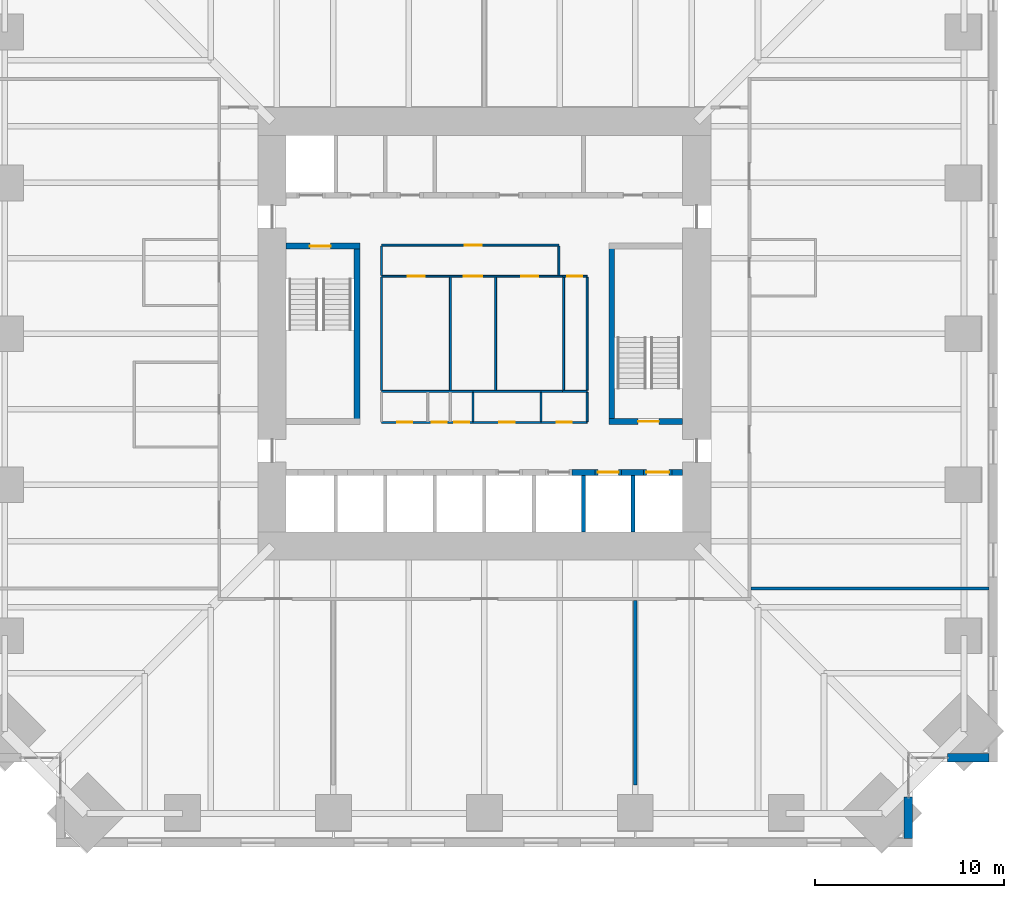
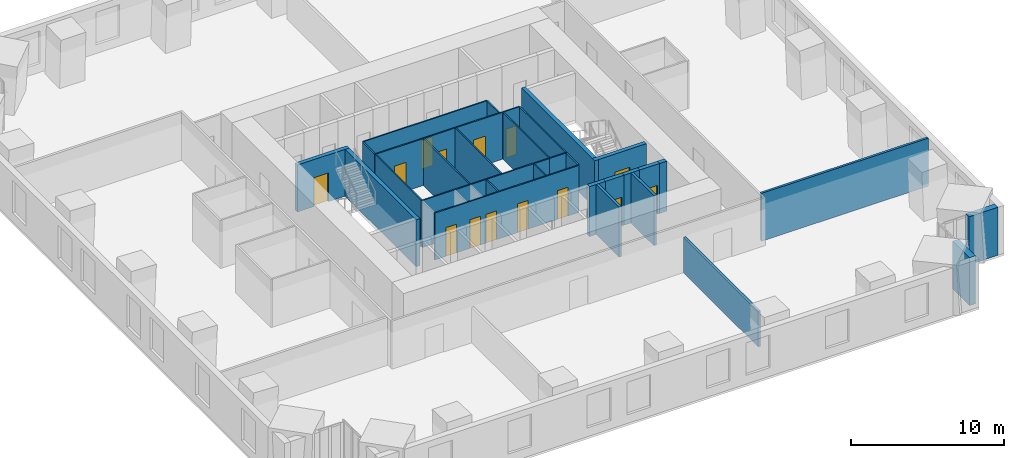
# One storey, part 13 of 16: 31 walls, 14 doors, 14 openings.
"""IFC4 building model written with IfcOpenShell, lengths in metres."""

from ifc_helpers import new_model, si_unit, direction, frame, frame_2d, origin, place, context, subcontext, project, spatial, rectangle, extrude, material, layer, layer_set, type_object, element, fill, save


model = new_model("IFC4")

# Units and contexts
model_context = context("Model", 3, precision=1e-05, world=origin(), true_north=direction((0.0, 1.0)))
body_context = subcontext(model_context, "Body", "Model", "MODEL_VIEW")
ifc_project = project(units=[si_unit("LENGTHUNIT", "METRE"), si_unit("AREAUNIT", "SQUARE_METRE"), si_unit("VOLUMEUNIT", "CUBIC_METRE"), si_unit("PLANEANGLEUNIT", "RADIAN"), si_unit("MASSUNIT", "GRAM", prefix="KILO")], contexts=[model_context])

# Site, building, storey
site_placement = place(None, origin())
site = spatial("IfcSite", under=ifc_project, at=site_placement, CompositionType="ELEMENT")
building_placement = place(site_placement, origin())
building = spatial("IfcBuilding", under=site, at=building_placement, Name="Peilmerk Tower", CompositionType="ELEMENT")
storey_placement = place(building_placement, frame((0.0, 0.0, 135.800048828125)))
storey = spatial("IfcBuildingStorey", under=building, at=storey_placement, Name="L27", CompositionType="ELEMENT", Elevation=135.800048828125)

# Walls
ifc_material_1 = material(Name="Precast concrete C45/55, board-marked finish", Category="concrete")
ifc_layer_1 = layer(ifc_material_1, 0.449951171875)
ifc_layer_set_1 = layer_set([ifc_layer_1], Name="Precast concrete C45/55, board-marked finish")
wall_type_1 = type_object("IfcWallType", Name="EW1 450 precast concrete facade wall, board-marked", PredefinedType="SOLIDWALL", material=ifc_layer_set_1)
for number, where, z_axis, x_axis, name in (
    (1, (22.47509765625, -24.5537109375, 0.0), (0.0, 0.0, 1.0), (0.0, -1.0, 0.0), "Facade wall SEA L27"),
    (2, (24.5537109375, -22.47509765625, 0.0), (0.0, 0.0, 1.0), (1.0, 0.0, 0.0), "Facade wall SEB L27"),
):
    element("IfcWall", number, at=place(storey_placement, frame(where, z_axis=z_axis, x_axis=x_axis)), inside=storey, type_object=wall_type_1, Name=name, PredefinedType="SOLIDWALL", context=body_context, shape_type="SweptSolid", body=[
        extrude(rectangle(XDim=2.1962890625, YDim=0.449951171875, at=frame_2d((1.09814453125, 0.0))), origin(), (0.0, 0.0, 1.0), 3.829833984375),
    ])
ifc_material_2 = material(Name="Concrete C35/45", Category="concrete")
ifc_layer_2 = layer(ifc_material_2, 0.300048828125)
ifc_layer_set_2 = layer_set([ifc_layer_2], Name="Concrete C35/45")
wall_type_2 = type_object("IfcWallType", Name="IW3 300 concrete stair enclosure wall, EI 120", PredefinedType="SOLIDWALL", material=ifc_layer_set_2)
wall_1_placement = place(storey_placement, frame((-6.75, -4.800048828125, 0.0), z_axis=(0.0, 0.0, 1.0), x_axis=(0.0, 1.0, 0.0)))
element("IfcWall", 3, at=wall_1_placement, inside=storey, type_object=wall_type_2, Name="Stair 1 enclosure L27", PredefinedType="SOLIDWALL", context=body_context, shape_type="SweptSolid", body=[
    extrude(rectangle(XDim=9.60009765625, YDim=0.300048828125, at=frame_2d((4.800048828125, 0.0))), origin(), (0.0, 0.0, 1.0), 3.75),
])

# Wall, opening, door
wall_2_placement = place(storey_placement, frame((-10.5, 4.64990234375, 0.0), z_axis=(0.0, 0.0, 1.0), x_axis=(1.0, 0.0, 0.0)))
wall_2 = element("IfcWall", 4, at=wall_2_placement, inside=storey, type_object=wall_type_2, Name="Stair 1 enclosure L27", PredefinedType="SOLIDWALL", context=body_context, shape_type="SweptSolid", body=[
    extrude(rectangle(XDim=3.89990234375, YDim=0.300048828125, at=frame_2d((1.949951171875, 0.0))), origin(), (0.0, 0.0, 1.0), 3.75),
])
opening_1_placement = place(wall_2_placement, frame((1.25, 0.0, 0.0)))
opening_1 = element("IfcOpeningElement", 5, at=opening_1_placement, cuts=wall_2, Name="Opening D4", PredefinedType="OPENING", context=body_context, shape_type="SweptSolid", body=[
    extrude(rectangle(XDim=1.10009765625, YDim=2.300048828125, at=frame_2d((0.550048828125, 1.14990234375))), frame((0.0, 0.159912109375, 0.0), z_axis=(0.0, -1.0, 0.0), x_axis=(1.0, 0.0, 0.0)), (0.0, 0.0, 1.0), 0.320068359375),
])
ifc_material_3 = material(Name="Steel door in steel frame", Category="steel")
door_type_1 = type_object("IfcDoorType", Name="D4 1100x2300 stair door, EI2 60", OperationType="SINGLE_SWING_RIGHT", PredefinedType="DOOR", material=ifc_material_3)
door_1_placement = place(opening_1_placement, frame((1.10009765625, 0.0, 0.0), z_axis=(0.0, 0.0, 1.0), x_axis=(-1.0, 0.0, 0.0)))
door_1 = element("IfcDoor", 6, at=door_1_placement, inside=storey, type_object=door_type_1, Name="Stair 1 door L27", OperationType="SINGLE_SWING_RIGHT", OverallHeight=2.300048828125, OverallWidth=1.10009765625, PredefinedType="DOOR", context=body_context, shape_type="SweptSolid", body=[
    extrude(rectangle(XDim=1.10009765625, YDim=2.300048828125, at=frame_2d((0.550048828125, 1.14990234375))), frame((0.0, 0.02490234375, 0.0), z_axis=(0.0, -1.0, 0.0), x_axis=(1.0, 0.0, 0.0)), (0.0, 0.0, 1.0), 0.050048828125),
])
fill(opening_1, door_1)

# Wall
wall_3_placement = place(storey_placement, frame((6.75, -4.800048828125, 0.0), z_axis=(0.0, 0.0, 1.0), x_axis=(0.0, 1.0, 0.0)))
element("IfcWall", 7, at=wall_3_placement, inside=storey, type_object=wall_type_2, Name="Stair 2 enclosure L27", PredefinedType="SOLIDWALL", context=body_context, shape_type="SweptSolid", body=[
    extrude(rectangle(XDim=9.60009765625, YDim=0.300048828125, at=frame_2d((4.800048828125, 0.0))), origin(), (0.0, 0.0, 1.0), 3.75),
])

# Wall, opening, door
wall_4_placement = place(storey_placement, frame((10.5, -4.64990234375, 0.0), z_axis=(0.0, 0.0, 1.0), x_axis=(-1.0, 0.0, 0.0)))
wall_4 = element("IfcWall", 8, at=wall_4_placement, inside=storey, type_object=wall_type_2, Name="Stair 2 enclosure L27", PredefinedType="SOLIDWALL", context=body_context, shape_type="SweptSolid", body=[
    extrude(rectangle(XDim=3.89990234375, YDim=0.300048828125, at=frame_2d((1.949951171875, 0.0))), origin(), (0.0, 0.0, 1.0), 3.75),
])
opening_2_placement = place(wall_4_placement, frame((1.25, 0.0, 0.0)))
opening_2 = element("IfcOpeningElement", 9, at=opening_2_placement, cuts=wall_4, Name="Opening D4", PredefinedType="OPENING", context=body_context, shape_type="SweptSolid", body=[
    extrude(rectangle(XDim=1.10009765625, YDim=2.300048828125, at=frame_2d((0.550048828125, 1.14990234375))), frame((0.0, 0.159912109375, 0.0), z_axis=(0.0, -1.0, 0.0), x_axis=(1.0, 0.0, 0.0)), (0.0, 0.0, 1.0), 0.320068359375),
])
door_2_placement = place(opening_2_placement, frame((1.10009765625, 0.0, 0.0), z_axis=(0.0, 0.0, 1.0), x_axis=(-1.0, 0.0, 0.0)))
door_2 = element("IfcDoor", 10, at=door_2_placement, inside=storey, type_object=door_type_1, Name="Stair 2 door L27", OperationType="SINGLE_SWING_RIGHT", OverallHeight=2.300048828125, OverallWidth=1.10009765625, PredefinedType="DOOR", context=body_context, shape_type="SweptSolid", body=[
    extrude(rectangle(XDim=1.10009765625, YDim=2.300048828125, at=frame_2d((0.550048828125, 1.14990234375))), frame((0.0, 0.02490234375, 0.0), z_axis=(0.0, -1.0, 0.0), x_axis=(1.0, 0.0, 0.0)), (0.0, 0.0, 1.0), 0.050048828125),
])
fill(opening_2, door_2)

# Wall, openings, doors
ifc_material_4 = material(Name="Plasterboard on steel studs", Category="steel")
ifc_layer_3 = layer(ifc_material_4, 0.10009765625)
ifc_layer_set_3 = layer_set([ifc_layer_3], Name="Plasterboard on steel studs")
wall_type_3 = type_object("IfcWallType", Name="IW4 100 WC partition", PredefinedType="PARTITIONING", material=ifc_layer_set_3)
wall_5_placement = place(storey_placement, frame((-5.449951171875, 3.050048828125, 0.0), z_axis=(0.0, 0.0, 1.0), x_axis=(1.0, 0.0, 0.0)))
wall_5 = element("IfcWall", 11, at=wall_5_placement, inside=storey, type_object=wall_type_3, Name="WC wall L27", PredefinedType="PARTITIONING", context=body_context, shape_type="SweptSolid", body=[
    extrude(rectangle(XDim=9.599853515625, YDim=0.10009765625, at=frame_2d((4.7998046875, 0.0))), origin(), (0.0, 0.0, 1.0), 3.75),
])
opening_3_placement = place(wall_5_placement, frame((1.39990234375, 0.0, 0.0)))
opening_3 = element("IfcOpeningElement", 12, at=opening_3_placement, cuts=wall_5, Name="Opening D5", PredefinedType="OPENING", context=body_context, shape_type="SweptSolid", body=[
    extrude(rectangle(XDim=0.89990234375, YDim=2.300048828125, at=frame_2d((0.449951171875, 1.14990234375))), frame((0.0, 0.06005859375, 0.0), z_axis=(0.0, -1.0, 0.0), x_axis=(1.0, 0.0, 0.0)), (0.0, 0.0, 1.0), 0.1201171875),
])
opening_4_placement = place(wall_5_placement, frame((4.35009765625, 0.0, 0.0)))
opening_4 = element("IfcOpeningElement", 13, at=opening_4_placement, cuts=wall_5, Name="Opening D6", PredefinedType="OPENING", context=body_context, shape_type="SweptSolid", body=[
    extrude(rectangle(XDim=1.0, YDim=2.300048828125, at=frame_2d((0.5, 1.14990234375))), frame((0.0, 0.06005859375, 0.0), z_axis=(0.0, -1.0, 0.0), x_axis=(1.0, 0.0, 0.0)), (0.0, 0.0, 1.0), 0.1201171875),
])
opening_5_placement = place(wall_5_placement, frame((7.39990234375, 0.0, 0.0)))
opening_5 = element("IfcOpeningElement", 14, at=opening_5_placement, cuts=wall_5, Name="Opening D5", PredefinedType="OPENING", context=body_context, shape_type="SweptSolid", body=[
    extrude(rectangle(XDim=0.89990234375, YDim=2.300048828125, at=frame_2d((0.449951171875, 1.14990234375))), frame((0.0, 0.06005859375, 0.0), z_axis=(0.0, -1.0, 0.0), x_axis=(1.0, 0.0, 0.0)), (0.0, 0.0, 1.0), 0.1201171875),
])
ifc_material_5 = material(Name="Timber door in steel frame", Category="steel")
door_type_2 = type_object("IfcDoorType", Name="D5 900x2300 WC door", OperationType="SINGLE_SWING_LEFT", PredefinedType="DOOR", material=ifc_material_5)
door_3_placement = place(opening_3_placement, frame((0.89990234375, 0.0, 0.0), z_axis=(0.0, 0.0, 1.0), x_axis=(-1.0, 0.0, 0.0)))
door_3 = element("IfcDoor", 15, at=door_3_placement, inside=storey, type_object=door_type_2, Name="Female toilets door L27", OperationType="SINGLE_SWING_LEFT", OverallHeight=2.300048828125, OverallWidth=0.89990234375, PredefinedType="DOOR", context=body_context, shape_type="SweptSolid", body=[
    extrude(rectangle(XDim=0.89990234375, YDim=2.300048828125, at=frame_2d((0.449951171875, 1.14990234375))), frame((0.0, 0.02490234375, 0.0), z_axis=(0.0, -1.0, 0.0), x_axis=(1.0, 0.0, 0.0)), (0.0, 0.0, 1.0), 0.050048828125),
])
fill(opening_3, door_3)
door_4_placement = place(opening_5_placement, frame((0.89990234375, 0.0, 0.0), z_axis=(0.0, 0.0, 1.0), x_axis=(-1.0, 0.0, 0.0)))
door_4 = element("IfcDoor", 16, at=door_4_placement, inside=storey, type_object=door_type_2, Name="Male toilets door L27", OperationType="SINGLE_SWING_LEFT", OverallHeight=2.300048828125, OverallWidth=0.89990234375, PredefinedType="DOOR", context=body_context, shape_type="SweptSolid", body=[
    extrude(rectangle(XDim=0.89990234375, YDim=2.300048828125, at=frame_2d((0.449951171875, 1.14990234375))), frame((0.0, 0.02490234375, 0.0), z_axis=(0.0, -1.0, 0.0), x_axis=(1.0, 0.0, 0.0)), (0.0, 0.0, 1.0), 0.050048828125),
])
fill(opening_5, door_4)
door_type_3 = type_object("IfcDoorType", Name="D6 1000x2300 accessible WC door", OperationType="SLIDING_TO_LEFT", PredefinedType="DOOR", material=ifc_material_5)
door_5_placement = place(opening_4_placement, frame((1.0, 0.0, 0.0), z_axis=(0.0, 0.0, 1.0), x_axis=(-1.0, 0.0, 0.0)))
door_5 = element("IfcDoor", 17, at=door_5_placement, inside=storey, type_object=door_type_3, Name="Accessible WC door L27", OperationType="SLIDING_TO_LEFT", OverallHeight=2.300048828125, OverallWidth=1.0, PredefinedType="DOOR", context=body_context, shape_type="SweptSolid", body=[
    extrude(rectangle(XDim=1.0, YDim=2.300048828125, at=frame_2d((0.5, 1.14990234375))), frame((0.0, 0.02490234375, 0.0), z_axis=(0.0, -1.0, 0.0), x_axis=(1.0, 0.0, 0.0)), (0.0, 0.0, 1.0), 0.050048828125),
])
fill(opening_4, door_5)

# Walls
wall_6_placement = place(storey_placement, frame((4.14990234375, -3.050048828125, 0.0), z_axis=(0.0, 0.0, 1.0), x_axis=(-1.0, 0.0, 0.0)))
element("IfcWall", 18, at=wall_6_placement, inside=storey, type_object=wall_type_3, Name="WC wall L27", PredefinedType="PARTITIONING", context=body_context, shape_type="SweptSolid", body=[
    extrude(rectangle(XDim=9.599853515625, YDim=0.10009765625, at=frame_2d((4.7998046875, 0.0))), origin(), (0.0, 0.0, 1.0), 3.75),
])
for number, where, z_axis, x_axis, name in (
    (19, (-5.449951171875, -3.0, 0.0), (0.0, 0.0, 1.0), (0.0, 1.0, 0.0), "WC wall L27"),
    (20, (-1.800048828125, -3.0, 0.0), (0.0, 0.0, 1.0), (0.0, 1.0, 0.0), "WC wall L27"),
    (21, (0.60009765625, -3.0, 0.0), (0.0, 0.0, 1.0), (0.0, 1.0, 0.0), "WC wall L27"),
):
    element("IfcWall", number, at=place(storey_placement, frame(where, z_axis=z_axis, x_axis=x_axis)), inside=storey, type_object=wall_type_3, Name=name, PredefinedType="PARTITIONING", context=body_context, shape_type="SweptSolid", body=[
        extrude(rectangle(XDim=6.0, YDim=0.10009765625, at=frame_2d((3.0, 0.0))), origin(), (0.0, 0.0, 1.0), 3.75),
    ])

# Wall, opening, door
ifc_material_6 = material(Name="Calcium silicate board on steel studs", Category="steel")
ifc_layer_4 = layer(ifc_material_6, 0.10009765625)
ifc_layer_set_4 = layer_set([ifc_layer_4], Name="Calcium silicate board on steel studs")
wall_type_4 = type_object("IfcWallType", Name="IW5 100 riser enclosure wall, EI 60", PredefinedType="PARTITIONING", material=ifc_layer_set_4)
wall_7_placement = place(storey_placement, frame((4.14990234375, 3.050048828125, 0.0), z_axis=(0.0, 0.0, 1.0), x_axis=(1.0, 0.0, 0.0)))
wall_7 = element("IfcWall", 22, at=wall_7_placement, inside=storey, type_object=wall_type_4, Name="Riser wall L27", PredefinedType="PARTITIONING", context=body_context, shape_type="SweptSolid", body=[
    extrude(rectangle(XDim=1.300048828125, YDim=0.10009765625, at=frame_2d((0.64990234375, 0.0))), origin(), (0.0, 0.0, 1.0), 3.75),
])
opening_6_placement = place(wall_7_placement, frame((0.25, 0.0, 0.0)))
opening_6 = element("IfcOpeningElement", 23, at=opening_6_placement, cuts=wall_7, Name="Opening D7", PredefinedType="OPENING", context=body_context, shape_type="SweptSolid", body=[
    extrude(rectangle(XDim=0.800048828125, YDim=2.300048828125, at=frame_2d((0.39990234375, 1.14990234375))), frame((0.0, 0.06005859375, 0.0), z_axis=(0.0, -1.0, 0.0), x_axis=(1.0, 0.0, 0.0)), (0.0, 0.0, 1.0), 0.1201171875),
])
door_type_4 = type_object("IfcDoorType", Name="D7 800x2300 riser access door, EI2 60", OperationType="SINGLE_SWING_RIGHT", PredefinedType="DOOR", material=ifc_material_3)
door_6_placement = place(opening_6_placement, frame((0.800048828125, 0.0, 0.0), z_axis=(0.0, 0.0, 1.0), x_axis=(-1.0, 0.0, 0.0)))
door_6 = element("IfcDoor", 24, at=door_6_placement, inside=storey, type_object=door_type_4, Name="Plumbing riser door L27", OperationType="SINGLE_SWING_RIGHT", OverallHeight=2.300048828125, OverallWidth=0.800048828125, PredefinedType="DOOR", context=body_context, shape_type="SweptSolid", body=[
    extrude(rectangle(XDim=0.800048828125, YDim=2.300048828125, at=frame_2d((0.39990234375, 1.14990234375))), frame((0.0, 0.02490234375, 0.0), z_axis=(0.0, -1.0, 0.0), x_axis=(1.0, 0.0, 0.0)), (0.0, 0.0, 1.0), 0.050048828125),
])
fill(opening_6, door_6)

# Walls
wall_8_placement = place(storey_placement, frame((5.449951171875, -3.050048828125, 0.0), z_axis=(0.0, 0.0, 1.0), x_axis=(-1.0, 0.0, 0.0)))
element("IfcWall", 25, at=wall_8_placement, inside=storey, type_object=wall_type_4, Name="Riser wall L27", PredefinedType="PARTITIONING", context=body_context, shape_type="SweptSolid", body=[
    extrude(rectangle(XDim=1.300048828125, YDim=0.10009765625, at=frame_2d((0.64990234375, 0.0))), origin(), (0.0, 0.0, 1.0), 3.75),
])
for number, where, z_axis, x_axis, name in (
    (26, (5.449951171875, 3.0, 0.0), (0.0, 0.0, 1.0), (0.0, -1.0, 0.0), "Riser wall L27"),
    (27, (4.199951171875, -3.0, 0.0), (0.0, 0.0, 1.0), (0.0, 1.0, 0.0), "Riser wall L27"),
):
    element("IfcWall", number, at=place(storey_placement, frame(where, z_axis=z_axis, x_axis=x_axis)), inside=storey, type_object=wall_type_4, Name=name, PredefinedType="PARTITIONING", context=body_context, shape_type="SweptSolid", body=[
        extrude(rectangle(XDim=6.0, YDim=0.10009765625, at=frame_2d((3.0, 0.0))), origin(), (0.0, 0.0, 1.0), 3.75),
    ])

# Wall, openings, doors
wall_9_placement = place(storey_placement, frame((5.449951171875, -4.699951171875, 0.0), z_axis=(0.0, 0.0, 1.0), x_axis=(-1.0, 0.0, 0.0)))
wall_9 = element("IfcWall", 28, at=wall_9_placement, inside=storey, type_object=wall_type_4, Name="Riser wall L27", PredefinedType="PARTITIONING", context=body_context, shape_type="SweptSolid", body=[
    extrude(rectangle(XDim=10.89990234375, YDim=0.10009765625, at=frame_2d((5.449951171875, 0.0))), origin(), (0.0, 0.0, 1.0), 3.75),
])
opening_7_placement = place(wall_9_placement, frame((9.27490234375, 0.0, 0.0)))
opening_7 = element("IfcOpeningElement", 29, at=opening_7_placement, cuts=wall_9, Name="Opening D7", PredefinedType="OPENING", context=body_context, shape_type="SweptSolid", body=[
    extrude(rectangle(XDim=0.800048828125, YDim=2.300048828125, at=frame_2d((0.39990234375, 1.14990234375))), frame((0.0, 0.06005859375, 0.0), z_axis=(0.0, -1.0, 0.0), x_axis=(1.0, 0.0, 0.0)), (0.0, 0.0, 1.0), 0.1201171875),
])
opening_8_placement = place(wall_9_placement, frame((7.449951171875, 0.0, 0.0)))
opening_8 = element("IfcOpeningElement", 30, at=opening_8_placement, cuts=wall_9, Name="Opening D7", PredefinedType="OPENING", context=body_context, shape_type="SweptSolid", body=[
    extrude(rectangle(XDim=0.800048828125, YDim=2.300048828125, at=frame_2d((0.39990234375, 1.14990234375))), frame((0.0, 0.06005859375, 0.0), z_axis=(0.0, -1.0, 0.0), x_axis=(1.0, 0.0, 0.0)), (0.0, 0.0, 1.0), 0.1201171875),
])
opening_9_placement = place(wall_9_placement, frame((6.25, 0.0, 0.0)))
opening_9 = element("IfcOpeningElement", 31, at=opening_9_placement, cuts=wall_9, Name="Opening D7", PredefinedType="OPENING", context=body_context, shape_type="SweptSolid", body=[
    extrude(rectangle(XDim=0.800048828125, YDim=2.300048828125, at=frame_2d((0.39990234375, 1.14990234375))), frame((0.0, 0.06005859375, 0.0), z_axis=(0.0, -1.0, 0.0), x_axis=(1.0, 0.0, 0.0)), (0.0, 0.0, 1.0), 0.1201171875),
])
opening_10_placement = place(wall_9_placement, frame((3.85009765625, 0.0, 0.0)))
opening_10 = element("IfcOpeningElement", 32, at=opening_10_placement, cuts=wall_9, Name="Opening D7", PredefinedType="OPENING", context=body_context, shape_type="SweptSolid", body=[
    extrude(rectangle(XDim=0.800048828125, YDim=2.300048828125, at=frame_2d((0.39990234375, 1.14990234375))), frame((0.0, 0.06005859375, 0.0), z_axis=(0.0, -1.0, 0.0), x_axis=(1.0, 0.0, 0.0)), (0.0, 0.0, 1.0), 0.1201171875),
])
opening_11_placement = place(wall_9_placement, frame((0.824951171875, 0.0, 0.0)))
opening_11 = element("IfcOpeningElement", 33, at=opening_11_placement, cuts=wall_9, Name="Opening D7", PredefinedType="OPENING", context=body_context, shape_type="SweptSolid", body=[
    extrude(rectangle(XDim=0.800048828125, YDim=2.300048828125, at=frame_2d((0.39990234375, 1.14990234375))), frame((0.0, 0.06005859375, 0.0), z_axis=(0.0, -1.0, 0.0), x_axis=(1.0, 0.0, 0.0)), (0.0, 0.0, 1.0), 0.1201171875),
])
door_7_placement = place(opening_7_placement, frame((0.800048828125, 0.0, 0.0), z_axis=(0.0, 0.0, 1.0), x_axis=(-1.0, 0.0, 0.0)))
door_7 = element("IfcDoor", 34, at=door_7_placement, inside=storey, type_object=door_type_4, Name="Cleaner's cupboard door L27", OperationType="SINGLE_SWING_RIGHT", OverallHeight=2.300048828125, OverallWidth=0.800048828125, PredefinedType="DOOR", context=body_context, shape_type="SweptSolid", body=[
    extrude(rectangle(XDim=0.800048828125, YDim=2.300048828125, at=frame_2d((0.39990234375, 1.14990234375))), frame((0.0, 0.02490234375, 0.0), z_axis=(0.0, -1.0, 0.0), x_axis=(1.0, 0.0, 0.0)), (0.0, 0.0, 1.0), 0.050048828125),
])
fill(opening_7, door_7)
door_8_placement = place(opening_8_placement, frame((0.800048828125, 0.0, 0.0), z_axis=(0.0, 0.0, 1.0), x_axis=(-1.0, 0.0, 0.0)))
door_8 = element("IfcDoor", 35, at=door_8_placement, inside=storey, type_object=door_type_4, Name="Electrical riser door L27", OperationType="SINGLE_SWING_RIGHT", OverallHeight=2.300048828125, OverallWidth=0.800048828125, PredefinedType="DOOR", context=body_context, shape_type="SweptSolid", body=[
    extrude(rectangle(XDim=0.800048828125, YDim=2.300048828125, at=frame_2d((0.39990234375, 1.14990234375))), frame((0.0, 0.02490234375, 0.0), z_axis=(0.0, -1.0, 0.0), x_axis=(1.0, 0.0, 0.0)), (0.0, 0.0, 1.0), 0.050048828125),
])
fill(opening_8, door_8)
door_9_placement = place(opening_9_placement, frame((0.800048828125, 0.0, 0.0), z_axis=(0.0, 0.0, 1.0), x_axis=(-1.0, 0.0, 0.0)))
door_9 = element("IfcDoor", 36, at=door_9_placement, inside=storey, type_object=door_type_4, Name="Data riser door L27", OperationType="SINGLE_SWING_RIGHT", OverallHeight=2.300048828125, OverallWidth=0.800048828125, PredefinedType="DOOR", context=body_context, shape_type="SweptSolid", body=[
    extrude(rectangle(XDim=0.800048828125, YDim=2.300048828125, at=frame_2d((0.39990234375, 1.14990234375))), frame((0.0, 0.02490234375, 0.0), z_axis=(0.0, -1.0, 0.0), x_axis=(1.0, 0.0, 0.0)), (0.0, 0.0, 1.0), 0.050048828125),
])
fill(opening_9, door_9)
door_10_placement = place(opening_10_placement, frame((0.800048828125, 0.0, 0.0), z_axis=(0.0, 0.0, 1.0), x_axis=(-1.0, 0.0, 0.0)))
door_10 = element("IfcDoor", 37, at=door_10_placement, inside=storey, type_object=door_type_4, Name="Comms room door L27", OperationType="SINGLE_SWING_RIGHT", OverallHeight=2.300048828125, OverallWidth=0.800048828125, PredefinedType="DOOR", context=body_context, shape_type="SweptSolid", body=[
    extrude(rectangle(XDim=0.800048828125, YDim=2.300048828125, at=frame_2d((0.39990234375, 1.14990234375))), frame((0.0, 0.02490234375, 0.0), z_axis=(0.0, -1.0, 0.0), x_axis=(1.0, 0.0, 0.0)), (0.0, 0.0, 1.0), 0.050048828125),
])
fill(opening_10, door_10)
door_11_placement = place(opening_11_placement, frame((0.800048828125, 0.0, 0.0), z_axis=(0.0, 0.0, 1.0), x_axis=(-1.0, 0.0, 0.0)))
door_11 = element("IfcDoor", 38, at=door_11_placement, inside=storey, type_object=door_type_4, Name="Water meter room door L27", OperationType="SINGLE_SWING_RIGHT", OverallHeight=2.300048828125, OverallWidth=0.800048828125, PredefinedType="DOOR", context=body_context, shape_type="SweptSolid", body=[
    extrude(rectangle(XDim=0.800048828125, YDim=2.300048828125, at=frame_2d((0.39990234375, 1.14990234375))), frame((0.0, 0.02490234375, 0.0), z_axis=(0.0, -1.0, 0.0), x_axis=(1.0, 0.0, 0.0)), (0.0, 0.0, 1.0), 0.050048828125),
])
fill(opening_11, door_11)

# Walls
for number, where, z_axis, x_axis, name in (
    (39, (5.449951171875, -3.10009765625, 0.0), (0.0, 0.0, 1.0), (0.0, -1.0, 0.0), "Riser wall L27"),
    (40, (-0.60009765625, -3.10009765625, 0.0), (0.0, 0.0, 1.0), (0.0, -1.0, 0.0), "Riser wall L27"),
    (41, (3.0, -3.10009765625, 0.0), (0.0, 0.0, 1.0), (0.0, -1.0, 0.0), "Riser wall L27"),
):
    element("IfcWall", number, at=place(storey_placement, frame(where, z_axis=z_axis, x_axis=x_axis)), inside=storey, type_object=wall_type_4, Name=name, PredefinedType="PARTITIONING", context=body_context, shape_type="SweptSolid", body=[
        extrude(rectangle(XDim=1.5498046875, YDim=0.10009765625, at=frame_2d((0.77490234375, 0.0))), origin(), (0.0, 0.0, 1.0), 3.75),
    ])
ifc_material_7 = material(Name="Calcium silicate block", Category="masonry")
ifc_layer_5 = layer(ifc_material_7, 0.175048828125)
ifc_layer_set_5 = layer_set([ifc_layer_5], Name="Calcium silicate block")
wall_type_5 = type_object("IfcWallType", Name="IW8 175 tenant separating wall, EI 60", PredefinedType="PARTITIONING", material=ifc_layer_set_5)
wall_10_placement = place(storey_placement, frame((26.75, -13.5, 0.0), z_axis=(0.0, 0.0, 1.0), x_axis=(-1.0, 0.0, 0.0)))
element("IfcWall", 42, at=wall_10_placement, inside=storey, type_object=wall_type_5, Name="Tenant separating wall SE L27", PredefinedType="PARTITIONING", context=body_context, shape_type="SweptSolid", body=[
    extrude(rectangle(XDim=12.625, YDim=0.175048828125, at=frame_2d((6.3125, 0.0))), origin(), (0.0, 0.0, 1.0), 3.829833984375),
])
wall_11_placement = place(storey_placement, frame((8.0, -14.125, 0.0), z_axis=(0.0, 0.0, 1.0), x_axis=(0.0, -1.0, 0.0)))
element("IfcWall", 43, at=wall_11_placement, inside=storey, type_object=wall_type_5, Name="Tenant separating wall S2 L27", PredefinedType="PARTITIONING", context=body_context, shape_type="SweptSolid", body=[
    extrude(rectangle(XDim=9.791259765625, YDim=0.175048828125, at=frame_2d((4.8955078125, 0.0))), origin(), (0.0, 0.0, 1.0), 2.829833984375),
])

# Wall, opening, door
ifc_material_8 = material(Name="Fire-resisting plasterboard on steel studs", Category="steel")
ifc_layer_6 = layer(ifc_material_8, 0.10009765625)
ifc_layer_set_6 = layer_set([ifc_layer_6], Name="Fire-resisting plasterboard on steel studs")
wall_type_6 = type_object("IfcWallType", Name="IW9 100 WC lobby wall, EI 30", PredefinedType="PARTITIONING", material=ifc_layer_set_6)
wall_12_placement = place(storey_placement, frame((-5.449951171875, 4.699951171875, 0.0), z_axis=(0.0, 0.0, 1.0), x_axis=(1.0, 0.0, 0.0)))
wall_12 = element("IfcWall", 44, at=wall_12_placement, inside=storey, type_object=wall_type_6, Name="WC lobby wall L27", PredefinedType="PARTITIONING", context=body_context, shape_type="SweptSolid", body=[
    extrude(rectangle(XDim=9.39990234375, YDim=0.10009765625, at=frame_2d((4.699951171875, 0.0))), origin(), (0.0, 0.0, 1.0), 3.75),
])
opening_12_placement = place(wall_12_placement, frame((4.39990234375, 0.0, 0.0)))
opening_12 = element("IfcOpeningElement", 45, at=opening_12_placement, cuts=wall_12, Name="Opening D11", PredefinedType="OPENING", context=body_context, shape_type="SweptSolid", body=[
    extrude(rectangle(XDim=0.89990234375, YDim=2.300048828125, at=frame_2d((0.449951171875, 1.14990234375))), frame((0.0, 0.06005859375, 0.0), z_axis=(0.0, -1.0, 0.0), x_axis=(1.0, 0.0, 0.0)), (0.0, 0.0, 1.0), 0.1201171875),
])
door_type_5 = type_object("IfcDoorType", Name="D11 900x2300 WC lobby door, EI2 30", OperationType="SINGLE_SWING_LEFT", PredefinedType="DOOR", material=ifc_material_5)
door_12_placement = place(opening_12_placement, frame((0.89990234375, 0.0, 0.0), z_axis=(0.0, 0.0, 1.0), x_axis=(-1.0, 0.0, 0.0)))
door_12 = element("IfcDoor", 46, at=door_12_placement, inside=storey, type_object=door_type_5, Name="WC lobby door L27", OperationType="SINGLE_SWING_LEFT", OverallHeight=2.300048828125, OverallWidth=0.89990234375, PredefinedType="DOOR", context=body_context, shape_type="SweptSolid", body=[
    extrude(rectangle(XDim=0.89990234375, YDim=2.300048828125, at=frame_2d((0.449951171875, 1.14990234375))), frame((0.0, 0.02490234375, 0.0), z_axis=(0.0, -1.0, 0.0), x_axis=(1.0, 0.0, 0.0)), (0.0, 0.0, 1.0), 0.050048828125),
])
fill(opening_12, door_12)

# Walls
for number, where, z_axis, x_axis, name in (
    (47, (-5.449951171875, 3.10009765625, 0.0), (0.0, 0.0, 1.0), (0.0, 1.0, 0.0), "WC lobby wall L27"),
    (48, (3.949951171875, 3.10009765625, 0.0), (0.0, 0.0, 1.0), (0.0, 1.0, 0.0), "WC lobby wall L27"),
):
    element("IfcWall", number, at=place(storey_placement, frame(where, z_axis=z_axis, x_axis=x_axis)), inside=storey, type_object=wall_type_6, Name=name, PredefinedType="PARTITIONING", context=body_context, shape_type="SweptSolid", body=[
        extrude(rectangle(XDim=1.5498046875, YDim=0.10009765625, at=frame_2d((0.77490234375, 0.0))), origin(), (0.0, 0.0, 1.0), 3.75),
    ])
ifc_layer_7 = layer(ifc_material_7, 0.199951171875)
ifc_layer_set_7 = layer_set([ifc_layer_7], Name="Calcium silicate block")
wall_type_7 = type_object("IfcWallType", Name="SH1 200 shaft dividing wall, EI 120", PredefinedType="PARTITIONING", material=ifc_layer_set_7)
for number, where, z_axis, x_axis, name in (
    (49, (5.25, -10.5, 0.0), (0.0, 0.0, 1.0), (0.0, 1.0, 0.0), "Shaft wall S B2 L27"),
    (50, (7.875, -10.5, 0.0), (0.0, 0.0, 1.0), (0.0, 1.0, 0.0), "Shaft wall S B1 L27"),
):
    element("IfcWall", number, at=place(storey_placement, frame(where, z_axis=z_axis, x_axis=x_axis)), inside=storey, type_object=wall_type_7, Name=name, PredefinedType="PARTITIONING", context=body_context, shape_type="SweptSolid", body=[
        extrude(rectangle(XDim=3.0, YDim=0.199951171875, at=frame_2d((1.5, 0.0))), origin(), (0.0, 0.0, 1.0), 4.0),
    ])

# Wall, opening, door
ifc_layer_8 = layer(ifc_material_7, 0.300048828125)
ifc_layer_set_8 = layer_set([ifc_layer_8], Name="Calcium silicate block")
wall_type_8 = type_object("IfcWallType", Name="SH2 300 lift landing door panel, EI 120", PredefinedType="PARTITIONING", material=ifc_layer_set_8)
wall_13_placement = place(storey_placement, frame((5.862548828125, -7.35009765625, 0.0), z_axis=(0.0, 0.0, 1.0), x_axis=(1.0, 0.0, 0.0)))
wall_13 = element("IfcWall", 51, at=wall_13_placement, inside=storey, type_object=wall_type_8, Name="Lift door panel S B1 L27", PredefinedType="PARTITIONING", context=body_context, shape_type="SweptSolid", body=[
    extrude(rectangle(XDim=1.39990234375, YDim=0.300048828125, at=frame_2d((0.699951171875, 0.0))), origin(), (0.0, 0.0, 1.0), 4.0),
])
opening_13_placement = place(wall_13_placement, frame((0.14990234375, 0.0, 0.0)))
opening_13 = element("IfcOpeningElement", 52, at=opening_13_placement, cuts=wall_13, Name="Opening LD1", PredefinedType="OPENING", context=body_context, shape_type="SweptSolid", body=[
    extrude(rectangle(XDim=1.10009765625, YDim=2.300048828125, at=frame_2d((0.550048828125, 1.14990234375))), frame((0.0, 0.159912109375, 0.0), z_axis=(0.0, -1.0, 0.0), x_axis=(1.0, 0.0, 0.0)), (0.0, 0.0, 1.0), 0.320068359375),
])
ifc_material_9 = material(Name="Stainless steel landing door", Category="steel")
door_type_6 = type_object("IfcDoorType", Name="LD1 1100x2300 lift landing door, sliding, EI2 60", OperationType="SLIDING_TO_LEFT", PredefinedType="DOOR", material=ifc_material_9)
door_13_placement = place(opening_13_placement, origin())
door_13 = element("IfcDoor", 53, at=door_13_placement, inside=storey, type_object=door_type_6, Name="Lift landing door B1 L27", OperationType="SLIDING_TO_LEFT", OverallHeight=2.300048828125, OverallWidth=1.10009765625, PredefinedType="DOOR", context=body_context, shape_type="SweptSolid", body=[
    extrude(rectangle(XDim=1.10009765625, YDim=2.300048828125, at=frame_2d((0.550048828125, 1.14990234375))), frame((0.0, 0.02490234375, 0.0), z_axis=(0.0, -1.0, 0.0), x_axis=(1.0, 0.0, 0.0)), (0.0, 0.0, 1.0), 0.050048828125),
])
fill(opening_13, door_13)

wall_14_placement = place(storey_placement, frame((8.4375, -7.35009765625, 0.0), z_axis=(0.0, 0.0, 1.0), x_axis=(1.0, 0.0, 0.0)))
wall_14 = element("IfcWall", 54, at=wall_14_placement, inside=storey, type_object=wall_type_8, Name="Lift door panel S FL2 L27", PredefinedType="PARTITIONING", context=body_context, shape_type="SweptSolid", body=[
    extrude(rectangle(XDim=1.5, YDim=0.300048828125, at=frame_2d((0.75, 0.0))), origin(), (0.0, 0.0, 1.0), 4.0),
])
opening_14_placement = place(wall_14_placement, frame((0.14990234375, 0.0, 0.0)))
opening_14 = element("IfcOpeningElement", 55, at=opening_14_placement, cuts=wall_14, Name="Opening LD2", PredefinedType="OPENING", context=body_context, shape_type="SweptSolid", body=[
    extrude(rectangle(XDim=1.199951171875, YDim=2.300048828125, at=frame_2d((0.60009765625, 1.14990234375))), frame((0.0, 0.159912109375, 0.0), z_axis=(0.0, -1.0, 0.0), x_axis=(1.0, 0.0, 0.0)), (0.0, 0.0, 1.0), 0.320068359375),
])
door_type_7 = type_object("IfcDoorType", Name="LD2 1200x2300 lift landing door, sliding, EI2 60", OperationType="SLIDING_TO_LEFT", PredefinedType="DOOR", material=ifc_material_9)
door_14_placement = place(opening_14_placement, origin())
door_14 = element("IfcDoor", 56, at=door_14_placement, inside=storey, type_object=door_type_7, Name="Lift landing door FL2 L27", OperationType="SLIDING_TO_LEFT", OverallHeight=2.300048828125, OverallWidth=1.199951171875, PredefinedType="DOOR", context=body_context, shape_type="SweptSolid", body=[
    extrude(rectangle(XDim=1.199951171875, YDim=2.300048828125, at=frame_2d((0.60009765625, 1.14990234375))), frame((0.0, 0.02490234375, 0.0), z_axis=(0.0, -1.0, 0.0), x_axis=(1.0, 0.0, 0.0)), (0.0, 0.0, 1.0), 0.050048828125),
])
fill(opening_14, door_14)

# Walls
ifc_material_10 = material(Name="Concrete C55/67", Category="concrete")
ifc_layer_9 = layer(ifc_material_10, 0.300048828125)
ifc_layer_set_9 = layer_set([ifc_layer_9], Name="Concrete C55/67")
wall_type_9 = type_object("IfcWallType", Name="SW2 300 lift bank pier", PredefinedType="SHEAR", material=ifc_layer_set_9)
wall_15_placement = place(storey_placement, frame((4.637451171875, -7.35009765625, 0.0), z_axis=(0.0, 0.0, 1.0), x_axis=(1.0, 0.0, 0.0)))
element("IfcWall", 57, at=wall_15_placement, inside=storey, type_object=wall_type_9, Name="Lift bank pier S L27", PredefinedType="SHEAR", context=body_context, shape_type="SweptSolid", body=[
    extrude(rectangle(XDim=1.22509765625, YDim=0.300048828125, at=frame_2d((0.612548828125, 0.0))), origin(), (0.0, 0.0, 1.0), 4.0),
])
wall_16_placement = place(storey_placement, frame((7.262451171875, -7.35009765625, 0.0), z_axis=(0.0, 0.0, 1.0), x_axis=(1.0, 0.0, 0.0)))
element("IfcWall", 58, at=wall_16_placement, inside=storey, type_object=wall_type_9, Name="Lift bank pier S L27", PredefinedType="SHEAR", context=body_context, shape_type="SweptSolid", body=[
    extrude(rectangle(XDim=1.175048828125, YDim=0.300048828125, at=frame_2d((0.58740234375, 0.0))), origin(), (0.0, 0.0, 1.0), 4.0),
])
wall_17_placement = place(storey_placement, frame((9.9375, -7.35009765625, 0.0), z_axis=(0.0, 0.0, 1.0), x_axis=(1.0, 0.0, 0.0)))
element("IfcWall", 59, at=wall_17_placement, inside=storey, type_object=wall_type_9, Name="Lift bank pier S L27", PredefinedType="SHEAR", context=body_context, shape_type="SweptSolid", body=[
    extrude(rectangle(XDim=0.5625, YDim=0.300048828125, at=frame_2d((0.28125, 0.0))), origin(), (0.0, 0.0, 1.0), 4.0),
])

save(model, "model.ifc")
